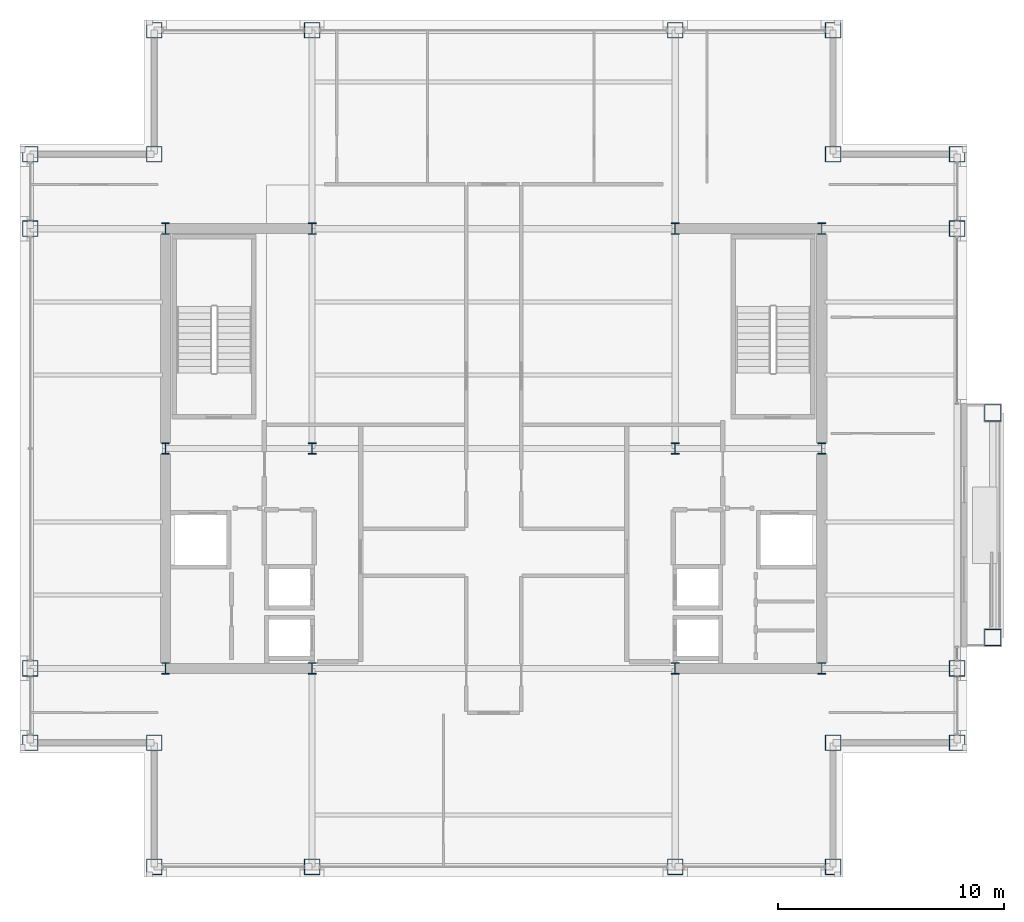
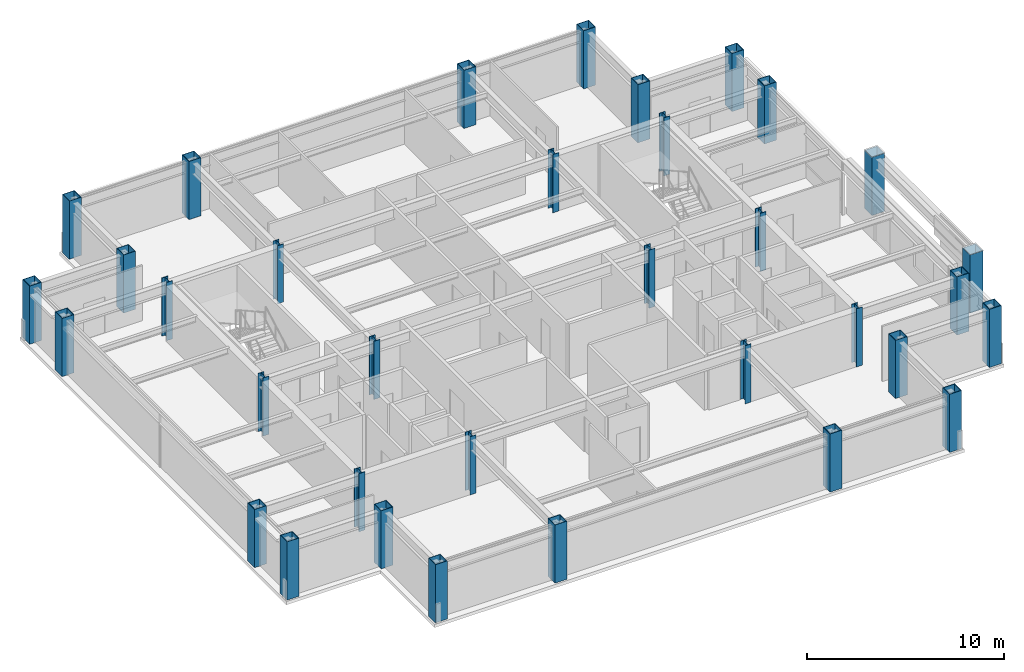
# One storey, part 1 of 29: 34 columns.
"""IFC4 building model written with IfcOpenShell, lengths in metres."""

import ifcopenshell
import ifcopenshell.guid

model = None  # the IFC model being written
_history = None  # IfcOwnerHistory: only IFC2X3 demands one
_inside = {}  # id of a spatial element -> (the spatial element, [elements in it])
_under = {}  # id of a project, library or spatial element -> (it, [spatial elements below it])
_declared = {}  # id of a project -> (the project, [libraries it declares])
_typed = {}  # id of a type object -> (the type object, [elements of that type])
_made_of = {}  # id of a material, layer set ... -> (it, [elements and type objects made of it])


def new_model(schema):
    """Start an empty IFC model of exactly this schema.

    Asked for "IFC4X3", IfcOpenShell would pick the latest addendum, in which some entities
    have other attributes; the version numbers below select the first issue.
    IFC2X3 requires an IfcOwnerHistory on every rooted entity: one is made here for all.
    """
    global model, _history
    if schema == "IFC4X3":
        model = ifcopenshell.file(schema_version=(4, 3, 0, 0))
    else:
        model = ifcopenshell.file(schema=schema)
    _inside.clear()
    _under.clear()
    _declared.clear()
    _typed.clear()
    _made_of.clear()
    _history = None
    if model.schema == "IFC2X3":
        org = make("IfcOrganization", Name="unknown")
        user = make(
            "IfcPersonAndOrganization",
            ThePerson=make("IfcPerson", FamilyName="unknown"),
            TheOrganization=org,
        )
        app = make(
            "IfcApplication",
            ApplicationDeveloper=org,
            Version="unknown",
            ApplicationFullName="unknown",
            ApplicationIdentifier="unknown",
        )
        _history = make(
            "IfcOwnerHistory",
            OwningUser=user,
            OwningApplication=app,
            ChangeAction="ADDED",
            CreationDate=0,
        )
    return model


def make(cls, **values):
    """One entity of the class cls with the attributes given. An attribute that is None is left unset."""
    return model.create_entity(
        cls, **{name: value for name, value in values.items() if value is not None}
    )


def rooted(cls, **values):
    """An entity with a GlobalId (a new one), such as an element, a storey or a relation."""
    return make(cls, GlobalId=ifcopenshell.guid.new(), OwnerHistory=_history, **values)


def si_unit(unit_type, name, prefix=None):
    """IfcSIUnit, for example si_unit("LENGTHUNIT", "METRE", prefix="MILLI")."""
    return make("IfcSIUnit", UnitType=unit_type, Prefix=prefix, Name=name)


def assignment(units):
    """IfcUnitAssignment: the units of a project."""
    return None if units is None else make("IfcUnitAssignment", Units=units)


def point(xyz):
    """IfcCartesianPoint."""
    return None if xyz is None else make("IfcCartesianPoint", Coordinates=xyz)


def direction(xyz):
    """IfcDirection."""
    return None if xyz is None else make("IfcDirection", DirectionRatios=xyz)


def frame(location, z_axis=None, x_axis=None):
    """IfcAxis2Placement3D, a coordinate frame: its origin and axes. An axis left out is left unset."""
    return make(
        "IfcAxis2Placement3D",
        Location=point(location),
        Axis=direction(z_axis),
        RefDirection=direction(x_axis),
    )


def frame_2d(location, x_axis=None):
    """IfcAxis2Placement2D, a coordinate frame in the plane: its origin and x axis."""
    return make(
        "IfcAxis2Placement2D", Location=point(location), RefDirection=direction(x_axis)
    )


def origin():
    """The frame at (0, 0, 0) with its axes left unset."""
    return frame((0.0, 0.0, 0.0))


def origin_2d():
    """The frame at (0, 0) in the plane with its x axis left unset."""
    return frame_2d((0.0, 0.0))


def place(relative_to, where):
    """IfcLocalPlacement: puts the frame where relative to a parent placement (None: the world)."""
    return make(
        "IfcLocalPlacement", PlacementRelTo=relative_to, RelativePlacement=where
    )


def context(
    kind, dimensions, precision=None, world=None, true_north=None, identifier=None
):
    """IfcGeometricRepresentationContext, for example the 3D "Model" context."""
    return make(
        "IfcGeometricRepresentationContext",
        ContextIdentifier=identifier,
        ContextType=kind,
        CoordinateSpaceDimension=dimensions,
        Precision=precision,
        WorldCoordinateSystem=world,
        TrueNorth=true_north,
    )


def subcontext(parent, identifier, kind, view, scale=None):
    """IfcGeometricRepresentationSubContext, for example "Body" below "Model"."""
    return make(
        "IfcGeometricRepresentationSubContext",
        ContextIdentifier=identifier,
        ContextType=kind,
        ParentContext=parent,
        TargetScale=scale,
        TargetView=view,
    )


def project(units=None, contexts=None):
    """IfcProject with its units and contexts."""
    return rooted(
        "IfcProject",
        Name="project",
        RepresentationContexts=contexts,
        UnitsInContext=assignment(units),
    )


def spatial(cls, under=None, at=None, **own):
    """A site, building, storey or space (cls), placed at a placement, below another one or the project."""
    s = rooted(cls, ObjectPlacement=at, **own)
    if under is not None:
        _under.setdefault(under.id(), (under, []))[1].append(s)
    return s


def profile(cls, at=None, kind="AREA", **sizes):
    """A parametric profile (cls). Its sizes go by their IFC names, for example OverallWidth=200.0."""
    return make(cls, ProfileType=kind, Position=at, **sizes)


def hollow_rectangle(**sizes):
    """IfcRectangleHollowProfileDef."""
    return profile("IfcRectangleHollowProfileDef", **sizes)


def i_section(**sizes):
    """IfcIShapeProfileDef."""
    return profile("IfcIShapeProfileDef", **sizes)


def extrude(swept, where, along, depth):
    """IfcExtrudedAreaSolid: the profile swept, set in the frame where, extruded along a direction by depth."""
    return make(
        "IfcExtrudedAreaSolid",
        SweptArea=swept,
        Position=where,
        ExtrudedDirection=direction(along),
        Depth=depth,
    )


def shape(context_of_items, identifier, shape_type, items):
    """IfcShapeRepresentation: the items that make up one representation, for example the "Body"."""
    return make(
        "IfcShapeRepresentation",
        ContextOfItems=context_of_items,
        RepresentationIdentifier=identifier,
        RepresentationType=shape_type,
        Items=items,
    )


def material(Name=None, Category=None):
    """IfcMaterial."""
    return make("IfcMaterial", Name=Name, Category=Category)


def material_profile(
    of_material, cross_section, Name=None, Category=None, Priority=None
):
    """IfcMaterialProfile: a cross section and its material."""
    return make(
        "IfcMaterialProfile",
        Name=Name,
        Material=of_material,
        Profile=cross_section,
        Priority=Priority,
        Category=Category,
    )


def profile_set(profiles, Name=None, composite=None):
    """IfcMaterialProfileSet."""
    return make(
        "IfcMaterialProfileSet",
        Name=Name,
        MaterialProfiles=profiles,
        CompositeProfile=composite,
    )


def made_of(thing, what):
    """Note that an element or type object is made of a material, layer set ...; save() writes the relation."""
    if what is not None:
        _made_of.setdefault(what.id(), (what, []))[1].append(thing)
    return thing


def type_object(cls, material=None, **own):
    """A type object (cls), such as IfcWallType, which elements share."""
    return made_of(rooted(cls, **own), material)


def element(
    cls,
    number,
    at=None,
    inside=None,
    cuts=None,
    type_object=None,
    material=None,
    context=None,
    identifier="Body",
    shape_type=None,
    held_by="IfcProductDefinitionShape",
    body=None,
    shapes=None,
    **own,
):
    """One element of the class cls, such as IfcWall. Its Tag is "e" and its number.

    at: its placement. inside: the storey or other place that contains it. cuts: it is an
    opening in that element (IfcRelVoidsElement). A single representation is given by context,
    identifier, shape_type and body (its items); several are given by shapes. held_by: the class
    of the entity that holds the representations. save() writes the other relations.
    """
    e = rooted(cls, Tag="e%d" % number, ObjectPlacement=at, **own)
    if body is not None:
        shapes = [shape(context, identifier, shape_type, body)]
    if shapes is not None:
        e.Representation = make(held_by, Representations=shapes)
    if inside is not None:
        _inside.setdefault(inside.id(), (inside, []))[1].append(e)
    if cuts is not None:
        rooted(
            "IfcRelVoidsElement", RelatingBuildingElement=cuts, RelatedOpeningElement=e
        )
    if type_object is not None:
        _typed.setdefault(type_object.id(), (type_object, []))[1].append(e)
    return made_of(e, material)


def aggregate(whole, parts):
    """IfcRelAggregates: a whole, such as a stair, and the parts it consists of."""
    return rooted("IfcRelAggregates", RelatingObject=whole, RelatedObjects=parts)


def save(model, path):
    """Write the relations noted so far, then the file.

    IfcRelAggregates (storeys below a building ...), IfcRelContainedInSpatialStructure (elements
    in a storey), IfcRelDefinesByType, IfcRelAssociatesMaterial and IfcRelDeclares: one each for
    every whole, place, type object, material and project.
    """
    for whole, parts in _under.values():
        aggregate(whole, parts)
    for where, things in _inside.values():
        rooted(
            "IfcRelContainedInSpatialStructure",
            RelatedElements=things,
            RelatingStructure=where,
        )
    for kind, things in _typed.values():
        rooted("IfcRelDefinesByType", RelatedObjects=things, RelatingType=kind)
    for what, things in _made_of.values():
        rooted("IfcRelAssociatesMaterial", RelatedObjects=things, RelatingMaterial=what)
    for by, libraries in _declared.values():
        rooted("IfcRelDeclares", RelatingContext=by, RelatedDefinitions=libraries)
    model.write(path)


model = new_model("IFC4")

# Units and contexts
model_context = context("Model", 3, precision=1e-05, world=origin(), true_north=direction((0.0, 1.0)))
body_context = subcontext(model_context, "Body", "Model", "MODEL_VIEW")
ifc_project = project(units=[si_unit("LENGTHUNIT", "METRE"), si_unit("AREAUNIT", "SQUARE_METRE"), si_unit("VOLUMEUNIT", "CUBIC_METRE"), si_unit("PLANEANGLEUNIT", "RADIAN"), si_unit("MASSUNIT", "GRAM", prefix="KILO")], contexts=[model_context])

# Site, building, storey
site_placement = place(None, origin())
site = spatial("IfcSite", under=ifc_project, at=site_placement, CompositionType="ELEMENT")
building_placement = place(site_placement, origin())
building = spatial("IfcBuilding", under=site, at=building_placement, Name="Brelmoor Portico Tower", CompositionType="ELEMENT")
storey_placement = place(building_placement, frame((0.0, 0.0, 201.89990234375)))
storey = spatial("IfcBuildingStorey", under=building, at=storey_placement, Name="L53", CompositionType="ELEMENT", Elevation=201.89990234375)

# Columns
ifc_material = material(Name="Steel Q355B", Category="steel")
ifc_material_profile_1 = material_profile(ifc_material, hollow_rectangle(XDim=0.699951171875, YDim=0.699951171875, WallThickness=0.030029296875, at=origin_2d()), Name="BOX 700x700x30")
ifc_profile_set_1 = profile_set([ifc_material_profile_1], Name="Steel Q355B")
column_type_1 = type_object("IfcColumnType", Name="COL-MEGA-700", PredefinedType="COLUMN", material=ifc_profile_set_1)
for number, where, z_axis, x_axis, name in (
    (1, (-15.050048828125, -18.550048828125, 0.0), (0.0, 0.0, 1.0), (1.0, 0.0, 0.0), "L53 Perimeter Mega-Column PS01"),
    (2, (-8.050048828125, -18.550048828125, 0.0), (0.0, 0.0, 1.0), (1.0, 0.0, 0.0), "L53 Perimeter Mega-Column PS02"),
    (3, (8.050048828125, -18.550048828125, 0.0), (0.0, 0.0, 1.0), (1.0, 0.0, 0.0), "L53 Perimeter Mega-Column PS03"),
    (4, (15.050048828125, -18.550048828125, 0.0), (0.0, 0.0, 1.0), (1.0, 0.0, 0.0), "L53 Perimeter Mega-Column PS04"),
    (5, (-15.050048828125, 18.550048828125, 0.0), (0.0, 0.0, 1.0), (1.0, 0.0, 0.0), "L53 Perimeter Mega-Column PN01"),
    (6, (-8.050048828125, 18.550048828125, 0.0), (0.0, 0.0, 1.0), (1.0, 0.0, 0.0), "L53 Perimeter Mega-Column PN02"),
    (7, (8.050048828125, 18.550048828125, 0.0), (0.0, 0.0, 1.0), (1.0, 0.0, 0.0), "L53 Perimeter Mega-Column PN03"),
    (8, (15.050048828125, 18.550048828125, 0.0), (0.0, 0.0, 1.0), (1.0, 0.0, 0.0), "L53 Perimeter Mega-Column PN04"),
    (9, (-20.550048828125, -13.050048828125, 0.0), (0.0, 0.0, 1.0), (0.0, 1.0, 0.0), "L53 Perimeter Mega-Column PW01"),
    (10, (-20.550048828125, -9.75, 0.0), (0.0, 0.0, 1.0), (0.0, 1.0, 0.0), "L53 Perimeter Mega-Column PW02"),
    (11, (-20.550048828125, 9.75, 0.0), (0.0, 0.0, 1.0), (0.0, 1.0, 0.0), "L53 Perimeter Mega-Column PW03"),
    (12, (-20.550048828125, 13.050048828125, 0.0), (0.0, 0.0, 1.0), (0.0, 1.0, 0.0), "L53 Perimeter Mega-Column PW04"),
    (13, (20.550048828125, -13.050048828125, 0.0), (0.0, 0.0, 1.0), (0.0, 1.0, 0.0), "L53 Perimeter Mega-Column PE01"),
    (14, (20.550048828125, -9.75, 0.0), (0.0, 0.0, 1.0), (0.0, 1.0, 0.0), "L53 Perimeter Mega-Column PE02"),
    (15, (20.550048828125, 9.75, 0.0), (0.0, 0.0, 1.0), (0.0, 1.0, 0.0), "L53 Perimeter Mega-Column PE03"),
    (16, (20.550048828125, 13.050048828125, 0.0), (0.0, 0.0, 1.0), (0.0, 1.0, 0.0), "L53 Perimeter Mega-Column PE04"),
    (17, (-15.050048828125, 13.050048828125, 0.0), (0.0, 0.0, 1.0), (1.0, 0.0, 0.0), "L53 Perimeter Mega-Column PC-NW"),
    (18, (15.050048828125, 13.050048828125, 0.0), (0.0, 0.0, 1.0), (1.0, 0.0, 0.0), "L53 Perimeter Mega-Column PC-NE"),
    (19, (15.050048828125, -13.050048828125, 0.0), (0.0, 0.0, 1.0), (1.0, 0.0, 0.0), "L53 Perimeter Mega-Column PC-SE"),
    (20, (-15.050048828125, -13.050048828125, 0.0), (0.0, 0.0, 1.0), (1.0, 0.0, 0.0), "L53 Perimeter Mega-Column PC-SW"),
):
    element("IfcColumn", number, at=place(storey_placement, frame(where, z_axis=z_axis, x_axis=x_axis)), inside=storey, type_object=column_type_1, Name=name, PredefinedType="COLUMN", context=body_context, shape_type="SweptSolid", body=[
        extrude(hollow_rectangle(XDim=0.699951171875, YDim=0.699951171875, WallThickness=0.030029296875, at=origin_2d()), origin(), (0.0, 0.0, 1.0), 3.60009765625),
    ])
ifc_material_profile_2 = material_profile(ifc_material, hollow_rectangle(XDim=0.75, YDim=0.75, WallThickness=0.031982421875, at=origin_2d()), Name="BOX 750x750x32")
ifc_profile_set_2 = profile_set([ifc_material_profile_2], Name="Steel Q355B")
column_type_2 = type_object("IfcColumnType", Name="COL-MEGA-750", PredefinedType="COLUMN", material=ifc_profile_set_2)
for number, where, z_axis, x_axis, name in (
    (21, (22.1298828125, -8.3798828125, 0.0), (0.0, 0.0, 1.0), (0.0, 1.0, 0.0), "L53 Proud Picture-Frame Pier PFJ-E1"),
    (22, (22.1298828125, 1.580078125, 0.0), (0.0, 0.0, 1.0), (0.0, 1.0, 0.0), "L53 Proud Picture-Frame Pier PFJ-E2"),
):
    element("IfcColumn", number, at=place(storey_placement, frame(where, z_axis=z_axis, x_axis=x_axis)), inside=storey, type_object=column_type_2, Name=name, PredefinedType="COLUMN", context=body_context, shape_type="SweptSolid", body=[
        extrude(hollow_rectangle(XDim=0.75, YDim=0.75, WallThickness=0.031982421875, at=origin_2d()), origin(), (0.0, 0.0, 1.0), 3.60009765625),
    ])
ifc_material_profile_3 = material_profile(ifc_material, i_section(OverallWidth=0.35009765625, OverallDepth=0.5, WebThickness=0.02001953125, FlangeThickness=0.031982421875, at=origin_2d()), Name="HW 500x350x20x32")
ifc_profile_set_3 = profile_set([ifc_material_profile_3], Name="Steel Q355B")
column_type_3 = type_object("IfcColumnType", Name="COL-SPINE-500", PredefinedType="COLUMN", material=ifc_profile_set_3)
for number, where, z_axis, x_axis, name in (
    (23, (-14.550048828125, -9.75, 0.0), (0.0, 0.0, 1.0), (1.0, 0.0, 0.0), "L53 Core Spine Column CW-SW"),
    (24, (-14.550048828125, 0.0, 0.0), (0.0, 0.0, 1.0), (1.0, 0.0, 0.0), "L53 Core Spine Column CW-MW"),
    (25, (-14.550048828125, 9.75, 0.0), (0.0, 0.0, 1.0), (1.0, 0.0, 0.0), "L53 Core Spine Column CW-NW"),
    (26, (-8.050048828125, -9.75, 0.0), (0.0, 0.0, 1.0), (1.0, 0.0, 0.0), "L53 Core Spine Column CW-SE"),
    (27, (-8.050048828125, 0.0, 0.0), (0.0, 0.0, 1.0), (1.0, 0.0, 0.0), "L53 Core Spine Column CW-ME"),
    (28, (-8.050048828125, 9.75, 0.0), (0.0, 0.0, 1.0), (1.0, 0.0, 0.0), "L53 Core Spine Column CW-NE"),
    (29, (8.050048828125, -9.75, 0.0), (0.0, 0.0, 1.0), (1.0, 0.0, 0.0), "L53 Core Spine Column CE-SW"),
    (30, (8.050048828125, 0.0, 0.0), (0.0, 0.0, 1.0), (1.0, 0.0, 0.0), "L53 Core Spine Column CE-MW"),
    (31, (8.050048828125, 9.75, 0.0), (0.0, 0.0, 1.0), (1.0, 0.0, 0.0), "L53 Core Spine Column CE-NW"),
    (32, (14.550048828125, -9.75, 0.0), (0.0, 0.0, 1.0), (1.0, 0.0, 0.0), "L53 Core Spine Column CE-SE"),
    (33, (14.550048828125, 0.0, 0.0), (0.0, 0.0, 1.0), (1.0, 0.0, 0.0), "L53 Core Spine Column CE-ME"),
    (34, (14.550048828125, 9.75, 0.0), (0.0, 0.0, 1.0), (1.0, 0.0, 0.0), "L53 Core Spine Column CE-NE"),
):
    element("IfcColumn", number, at=place(storey_placement, frame(where, z_axis=z_axis, x_axis=x_axis)), inside=storey, type_object=column_type_3, Name=name, PredefinedType="COLUMN", context=body_context, shape_type="SweptSolid", body=[
        extrude(i_section(OverallWidth=0.35009765625, OverallDepth=0.5, WebThickness=0.02001953125, FlangeThickness=0.031982421875, at=origin_2d()), origin(), (0.0, 0.0, 1.0), 3.60009765625),
    ])

save(model, "model.ifc")
